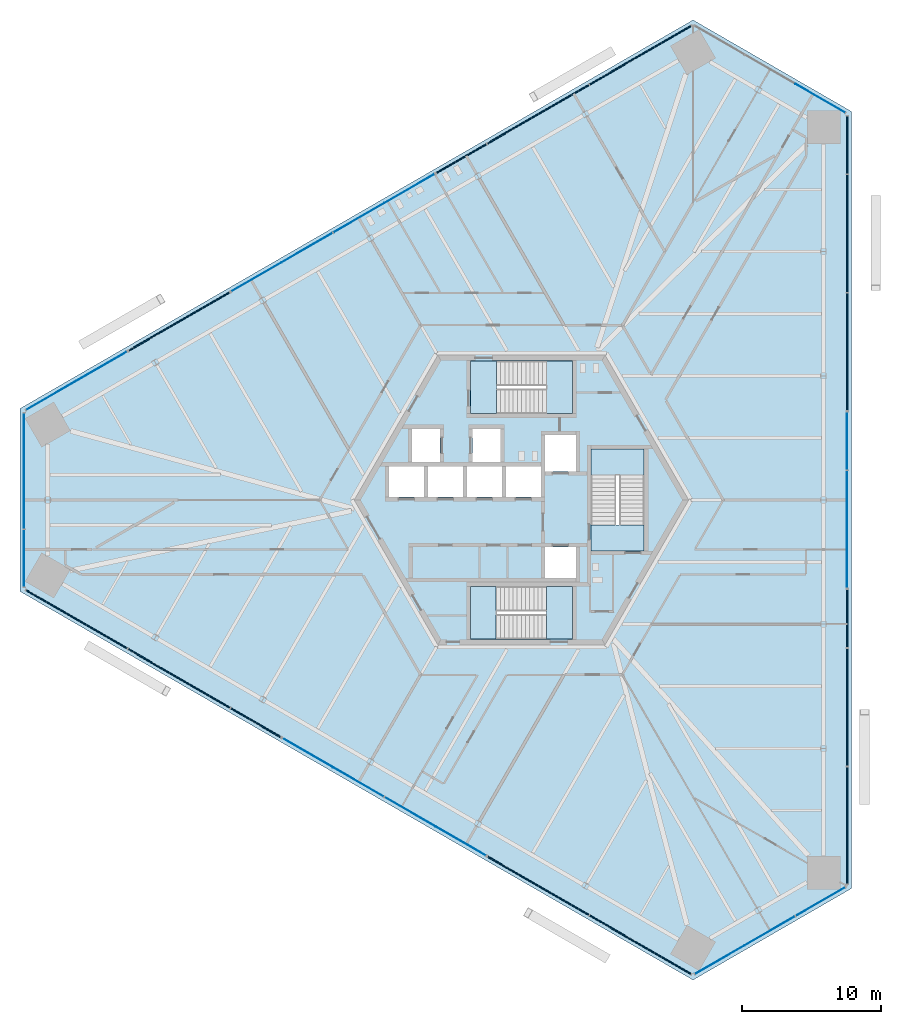
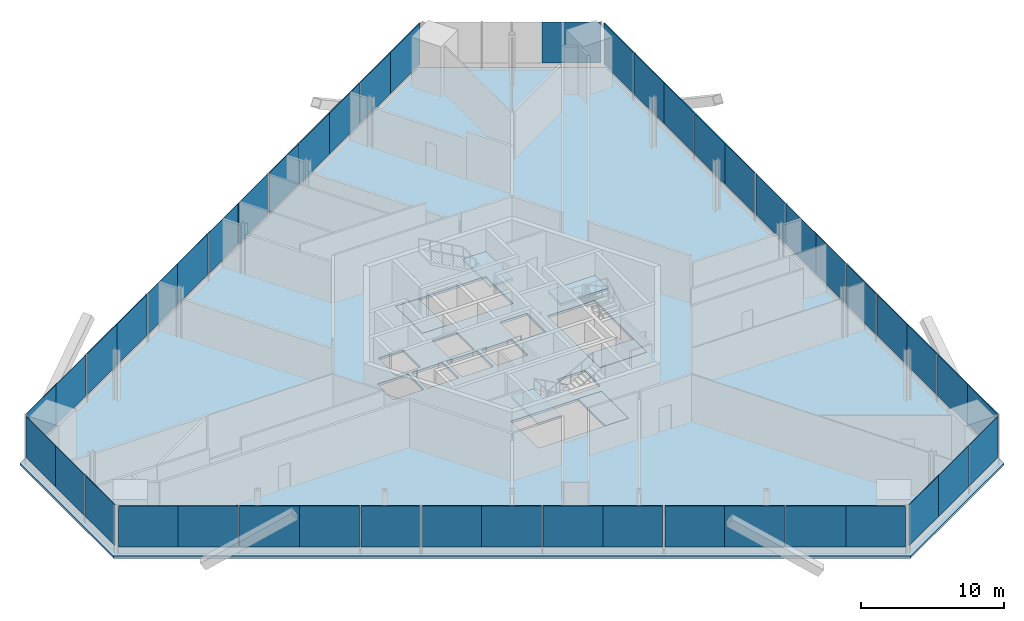
# One storey, part 9 of 16: 46 plates, 7 slabs, 16 elements without a shape of their own.
"""IFC4 building model written with IfcOpenShell, lengths in metres."""

from ifc_helpers import new_model, si_unit, direction, frame, origin, origin_2d, place, context, subcontext, project, spatial, polyline, rectangle, outline, extrude, source, transform, mapped, material, layer, layer_set, type_object, element, aggregate, save


model = new_model("IFC4")

# Units and contexts
model_context = context("Model", 3, precision=1e-05, world=origin(), true_north=direction((0.0, 1.0)))
body_context = subcontext(model_context, "Body", "Model", "MODEL_VIEW")
ifc_project = project(units=[si_unit("LENGTHUNIT", "METRE"), si_unit("AREAUNIT", "SQUARE_METRE"), si_unit("VOLUMEUNIT", "CUBIC_METRE"), si_unit("PLANEANGLEUNIT", "RADIAN"), si_unit("MASSUNIT", "GRAM", prefix="KILO")], contexts=[model_context])

# Site, building, storey
site_placement = place(None, origin())
site = spatial("IfcSite", under=ifc_project, at=site_placement, CompositionType="ELEMENT")
building_placement = place(site_placement, origin())
building = spatial("IfcBuilding", under=site, at=building_placement, Name="Triune Harvest Tower", CompositionType="ELEMENT")
storey_placement = place(building_placement, frame((0.0, 0.0, 20.300048828125)))
storey = spatial("IfcBuildingStorey", under=building, at=storey_placement, Name="L04", CompositionType="ELEMENT", Elevation=20.300048828125)

# Slab
ifc_material_1 = material(Name="Concrete 40 MPa", Category="concrete")
ifc_layer_1 = layer(ifc_material_1, 0.199951171875)
ifc_layer_set_1 = layer_set([ifc_layer_1], Name="Concrete 40 MPa")
slab_type_1 = type_object("IfcSlabType", Name="SL-3 Composite floor slab 200", PredefinedType="FLOOR", material=ifc_layer_set_1)
shared_shape_1 = source(origin(), body_context, "Body", "SweptSolid", [
    extrude(outline(polyline([(23.67138671875, -27.8798828125), (23.67138671875, 27.8798828125), (12.30908203125, 34.43994140625), (-35.98046875, 6.56005859375), (-35.98046875, -6.56005859375), (12.30908203125, -34.43994140625), (23.67138671875, -27.8798828125)]), holes=[polyline([(-7.0, 0.2099609375), (-7.0, 2.409912109375), (-9.5, 2.409912109375), (-9.5, 0.2099609375), (-7.0, 0.2099609375)]), polyline([(-4.199951171875, 0.2099609375), (-4.199951171875, 2.409912109375), (-6.699951171875, 2.409912109375), (-6.699951171875, 0.2099609375), (-4.199951171875, 0.2099609375)]), polyline([(-1.39990234375, 0.2099609375), (-1.39990234375, 2.409912109375), (-3.89990234375, 2.409912109375), (-3.89990234375, 0.2099609375), (-1.39990234375, 0.2099609375)]), polyline([(1.39990234375, 0.2099609375), (1.39990234375, 2.409912109375), (-1.10009765625, 2.409912109375), (-1.10009765625, 0.2099609375), (1.39990234375, 0.2099609375)]), polyline([(3.89990234375, 2.06005859375), (3.89990234375, 4.659912109375), (1.699951171875, 4.659912109375), (1.699951171875, 2.06005859375), (3.89990234375, 2.06005859375)]), polyline([(3.89990234375, -5.590087890625), (3.89990234375, -3.389892578125), (1.699951171875, -3.389892578125), (1.699951171875, -5.590087890625), (3.89990234375, -5.590087890625)]), polyline([(-5.85009765625, 2.7099609375), (-5.85009765625, 5.110107421875), (-7.85009765625, 5.110107421875), (-7.85009765625, 2.7099609375), (-5.85009765625, 2.7099609375)]), polyline([(-1.5, 2.7099609375), (-1.5, 5.110107421875), (-3.5, 5.110107421875), (-3.5, 2.7099609375), (-1.5, 2.7099609375)]), polyline([(3.64990234375, 6.18994140625), (3.64990234375, 9.989990234375), (-3.64990234375, 9.989990234375), (-3.64990234375, 6.18994140625), (3.64990234375, 6.18994140625)]), polyline([(3.64990234375, -9.989990234375), (3.64990234375, -6.18994140625), (-3.64990234375, -6.18994140625), (-3.64990234375, -9.989990234375), (3.64990234375, -9.989990234375)]), polyline([(8.800048828125, -3.64990234375), (8.800048828125, 3.64990234375), (5.0, 3.64990234375), (5.0, -3.64990234375), (8.800048828125, -3.64990234375)])]), origin(), (0.0, 0.0, 1.0), 0.199951171875),
])
slab_1_placement = place(storey_placement, frame((0.0, 0.0, -0.199951171875)))
element("IfcSlab", 1, at=slab_1_placement, inside=storey, type_object=slab_type_1, Name="slab/L04/1", PredefinedType="FLOOR", context=body_context, shape_type="MappedRepresentation", body=[
    mapped(shared_shape_1, transform((0.0, 0.0, 0.0), scale=1.0)),
])

# Stair, slabs
ifc_material_2 = material(Name="Concrete 40 MPa", Category="concrete")
stair_type = type_object("IfcStairType", Name="Exit stair 1800 half turn", PredefinedType="HALF_TURN_STAIR", material=ifc_material_2)
stair_1_placement = place(storey_placement, origin())
stair_1 = element("IfcStair", 2, at=stair_1_placement, inside=storey, type_object=stair_type, Name="Exit stair north", PredefinedType="HALF_TURN_STAIR")
ifc_material_3 = material(Name="Concrete 40 MPa", Category="concrete")
ifc_layer_2 = layer(ifc_material_3, 0.199951171875)
ifc_layer_set_2 = layer_set([ifc_layer_2], Name="Concrete 40 MPa")
slab_type_2 = type_object("IfcSlabType", Name="Stair landing 200", PredefinedType="LANDING", material=ifc_layer_set_2)
shared_shape_2 = source(origin(), body_context, "Body", "SweptSolid", [
    extrude(outline(polyline([(-3.64990234375, 6.18994140625), (-1.780029296875, 6.18994140625), (-1.780029296875, 9.989990234375), (-3.64990234375, 9.989990234375), (-3.64990234375, 6.18994140625)])), origin(), (0.0, 0.0, 1.0), 0.199951171875),
])
slab_2_placement = place(storey_placement, frame((0.0, 0.0, -0.199951171875)))
slab_2 = element("IfcSlab", 3, at=slab_2_placement, type_object=slab_type_2, Name="ST-1 landing 1", PredefinedType="LANDING", context=body_context, shape_type="MappedRepresentation", body=[
    mapped(shared_shape_2, transform((0.0, 0.0, 0.0), scale=1.0)),
])
shared_shape_3 = source(origin(), body_context, "Body", "SweptSolid", [
    extrude(outline(polyline([(1.81005859375, 6.18994140625), (3.64990234375, 6.18994140625), (3.64990234375, 9.989990234375), (1.81005859375, 9.989990234375), (1.81005859375, 6.18994140625)])), origin(), (0.0, 0.0, 1.0), 0.199951171875),
])
slab_3_placement = place(storey_placement, frame((0.0, 0.0, 1.949951171875)))
slab_3 = element("IfcSlab", 4, at=slab_3_placement, type_object=slab_type_2, Name="ST-1 landing 2", PredefinedType="LANDING", context=body_context, shape_type="MappedRepresentation", body=[
    mapped(shared_shape_3, transform((0.0, 0.0, 0.0), scale=1.0)),
])
aggregate(stair_1, [slab_2, slab_3])

stair_2_placement = place(storey_placement, origin())
stair_2 = element("IfcStair", 5, at=stair_2_placement, inside=storey, type_object=stair_type, Name="Exit stair south", PredefinedType="HALF_TURN_STAIR")
shared_shape_4 = source(origin(), body_context, "Body", "SweptSolid", [
    extrude(outline(polyline([(3.64990234375, -6.18994140625), (1.780029296875, -6.18994140625), (1.780029296875, -9.989990234375), (3.64990234375, -9.989990234375), (3.64990234375, -6.18994140625)])), origin(), (0.0, 0.0, 1.0), 0.199951171875),
])
slab_4_placement = place(storey_placement, frame((0.0, 0.0, -0.199951171875)))
slab_4 = element("IfcSlab", 6, at=slab_4_placement, type_object=slab_type_2, Name="ST-2 landing 1", PredefinedType="LANDING", context=body_context, shape_type="MappedRepresentation", body=[
    mapped(shared_shape_4, transform((0.0, 0.0, 0.0), scale=1.0)),
])
shared_shape_5 = source(origin(), body_context, "Body", "SweptSolid", [
    extrude(outline(polyline([(-1.81005859375, -6.18994140625), (-3.64990234375, -6.18994140625), (-3.64990234375, -9.989990234375), (-1.81005859375, -9.989990234375), (-1.81005859375, -6.18994140625)])), origin(), (0.0, 0.0, 1.0), 0.199951171875),
])
slab_5_placement = place(storey_placement, frame((0.0, 0.0, 1.949951171875)))
slab_5 = element("IfcSlab", 7, at=slab_5_placement, type_object=slab_type_2, Name="ST-2 landing 2", PredefinedType="LANDING", context=body_context, shape_type="MappedRepresentation", body=[
    mapped(shared_shape_5, transform((0.0, 0.0, 0.0), scale=1.0)),
])
aggregate(stair_2, [slab_4, slab_5])

stair_3_placement = place(storey_placement, origin())
stair_3 = element("IfcStair", 8, at=stair_3_placement, inside=storey, type_object=stair_type, Name="Exit stair east", PredefinedType="HALF_TURN_STAIR")
shared_shape_6 = source(origin(), body_context, "Body", "SweptSolid", [
    extrude(outline(polyline([(8.800048828125, -3.64990234375), (8.800048828125, -1.780029296875), (5.0, -1.780029296875), (5.0, -3.64990234375), (8.800048828125, -3.64990234375)])), origin(), (0.0, 0.0, 1.0), 0.199951171875),
])
slab_6_placement = place(storey_placement, frame((0.0, 0.0, -0.199951171875)))
slab_6 = element("IfcSlab", 9, at=slab_6_placement, type_object=slab_type_2, Name="ST-3 landing 1", PredefinedType="LANDING", context=body_context, shape_type="MappedRepresentation", body=[
    mapped(shared_shape_6, transform((0.0, 0.0, 0.0), scale=1.0)),
])
shared_shape_7 = source(origin(), body_context, "Body", "SweptSolid", [
    extrude(outline(polyline([(8.800048828125, 1.81005859375), (8.800048828125, 3.64990234375), (5.0, 3.64990234375), (5.0, 1.81005859375), (8.800048828125, 1.81005859375)])), origin(), (0.0, 0.0, 1.0), 0.199951171875),
])
slab_7_placement = place(storey_placement, frame((0.0, 0.0, 1.949951171875)))
slab_7 = element("IfcSlab", 10, at=slab_7_placement, type_object=slab_type_2, Name="ST-3 landing 2", PredefinedType="LANDING", context=body_context, shape_type="MappedRepresentation", body=[
    mapped(shared_shape_7, transform((0.0, 0.0, 0.0), scale=1.0)),
])
aggregate(stair_3, [slab_6, slab_7])

# Curtain wall, plate
ifc_material_4 = material(Name="Aluminium bronze anodised", Category="aluminium")
curtain_wall_type_1 = type_object("IfcCurtainWallType", Name="CW-3 Farm floor curtain wall", PredefinedType="NOTDEFINED", material=ifc_material_4)
curtain_wall_1_placement = place(storey_placement, origin())
curtain_wall_1 = element("IfcCurtainWall", 11, at=curtain_wall_1_placement, inside=storey, type_object=curtain_wall_type_1, Name="CW-3 B1-F2 L04 run 1")
ifc_material_5 = material(Name="Glass", Category="glass")
ifc_layer_3 = layer(ifc_material_5, 0.035888671875)
ifc_layer_set_3 = layer_set([ifc_layer_3], Name="Glass")
plate_type_1 = type_object("IfcPlateType", Name="GL-3 panel 36", PredefinedType="CURTAIN_PANEL", material=ifc_layer_set_3)
shared_shape_8 = source(origin(), body_context, "Body", "SweptSolid", [
    extrude(rectangle(XDim=4.117919921875, YDim=0.035888671875, at=origin_2d()), origin(), (0.0, 0.0, 1.0), 3.5),
])
plate_1_placement = place(storey_placement, frame((21.441162109375, 28.8212890625, 0.599853515625), z_axis=(0.0, 0.0, 1.0), x_axis=(-0.866026145592, 0.499998715149, 0.0)))
plate_1 = element("IfcPlate", 12, at=plate_1_placement, type_object=plate_type_1, Name="CW-3 panel B1-F2 1.1", PredefinedType="CURTAIN_PANEL", context=body_context, shape_type="MappedRepresentation", body=[
    mapped(shared_shape_8, transform((0.0, 0.0, 0.0), scale=1.0)),
])
aggregate(curtain_wall_1, [plate_1])

curtain_wall_2_placement = place(storey_placement, origin())
curtain_wall_2 = element("IfcCurtainWall", 13, at=curtain_wall_2_placement, inside=storey, type_object=curtain_wall_type_1, Name="CW-3 B1-F4 L04 run 1")
plate_2_placement = place(storey_placement, frame((-35.680419921875, 4.157958984375, 0.599853515625), z_axis=(0.0, 0.0, 1.0), x_axis=(0.0, -1.0, 0.0)))
plate_2 = element("IfcPlate", 14, at=plate_2_placement, type_object=plate_type_1, Name="CW-3 panel B1-F4 1.1", PredefinedType="CURTAIN_PANEL", context=body_context, shape_type="MappedRepresentation", body=[
    mapped(shared_shape_8, transform((0.0, 0.0, 0.0), scale=1.0)),
])

curtain_wall_3_placement = place(storey_placement, origin())
curtain_wall_3 = element("IfcCurtainWall", 15, at=curtain_wall_3_placement, inside=storey, type_object=curtain_wall_type_1, Name="CW-3 B1-F6 L04 run 1")
plate_3_placement = place(storey_placement, frame((14.239501953125, -32.979248046875, 0.599853515625), z_axis=(0.0, 0.0, 1.0), x_axis=(0.866026145592, 0.499998715149, 0.0)))
plate_3 = element("IfcPlate", 16, at=plate_3_placement, type_object=plate_type_1, Name="CW-3 panel B1-F6 1.1", PredefinedType="CURTAIN_PANEL", context=body_context, shape_type="MappedRepresentation", body=[
    mapped(shared_shape_8, transform((0.0, 0.0, 0.0), scale=1.0)),
])

# Plate
shared_shape_9 = source(origin(), body_context, "Body", "SweptSolid", [
    extrude(rectangle(XDim=4.157958984375, YDim=0.035888671875, at=origin_2d()), origin(), (0.0, 0.0, 1.0), 3.5),
])
plate_4_placement = place(storey_placement, frame((-35.680419921875, 0.02001953125, 0.599853515625), z_axis=(0.0, 0.0, 1.0), x_axis=(0.0, -1.0, 0.0)))
plate_4 = element("IfcPlate", 17, at=plate_4_placement, type_object=plate_type_1, Name="CW-3 panel B1-F4 1.2", PredefinedType="CURTAIN_PANEL", context=body_context, shape_type="MappedRepresentation", body=[
    mapped(shared_shape_9, transform((0.0, 0.0, 0.0), scale=1.0)),
])

plate_5_placement = place(storey_placement, frame((17.822998046875, -30.91015625, 0.599853515625), z_axis=(0.0, 0.0, 1.0), x_axis=(0.866026145592, 0.499998715149, 0.0)))
plate_5 = element("IfcPlate", 18, at=plate_5_placement, type_object=plate_type_1, Name="CW-3 panel B1-F6 1.2", PredefinedType="CURTAIN_PANEL", context=body_context, shape_type="MappedRepresentation", body=[
    mapped(shared_shape_9, transform((0.0, 0.0, 0.0), scale=1.0)),
])

shared_shape_10 = source(origin(), body_context, "Body", "SweptSolid", [
    extrude(rectangle(XDim=4.077880859375, YDim=0.035888671875, at=origin_2d()), origin(), (0.0, 0.0, 1.0), 3.5),
])
plate_6_placement = place(storey_placement, frame((-35.680419921875, -4.177978515625, 0.599853515625), z_axis=(0.0, 0.0, 1.0), x_axis=(0.0, -1.0, 0.0)))
plate_6 = element("IfcPlate", 19, at=plate_6_placement, type_object=plate_type_1, Name="CW-3 panel B1-F4 1.3", PredefinedType="CURTAIN_PANEL", context=body_context, shape_type="MappedRepresentation", body=[
    mapped(shared_shape_10, transform((0.0, 0.0, 0.0), scale=1.0)),
])

aggregate(curtain_wall_2, [plate_2, plate_4, plate_6])

plate_7_placement = place(storey_placement, frame((21.45849609375, -28.811279296875, 0.599853515625), z_axis=(0.0, 0.0, 1.0), x_axis=(0.866026145592, 0.499998715149, 0.0)))
plate_7 = element("IfcPlate", 20, at=plate_7_placement, type_object=plate_type_1, Name="CW-3 panel B1-F6 1.3", PredefinedType="CURTAIN_PANEL", context=body_context, shape_type="MappedRepresentation", body=[
    mapped(shared_shape_10, transform((0.0, 0.0, 0.0), scale=1.0)),
])

aggregate(curtain_wall_3, [plate_3, plate_5, plate_7])

# Curtain wall, plate
ifc_material_6 = material(Name="Aluminium bronze anodised", Category="aluminium")
curtain_wall_type_2 = type_object("IfcCurtainWallType", Name="CW-8 Farm floor curtain wall with insulated spandrel infill", PredefinedType="NOTDEFINED", material=ifc_material_6)
curtain_wall_4_placement = place(storey_placement, origin())
curtain_wall_4 = element("IfcCurtainWall", 21, at=curtain_wall_4_placement, inside=storey, type_object=curtain_wall_type_2, Name="CW-8 B1-F1 L04 run 1")
ifc_material_7 = material(Name="Insulated spandrel panel, bronze aluminium pan", Category="aluminium")
ifc_layer_4 = layer(ifc_material_7, 0.080078125)
ifc_layer_set_4 = layer_set([ifc_layer_4], Name="Insulated spandrel panel, bronze aluminium pan")
plate_type_2 = type_object("IfcPlateType", Name="SP-1 insulated spandrel panel 80", PredefinedType="CURTAIN_PANEL", material=ifc_layer_set_4)
shared_shape_11 = source(origin(), body_context, "Body", "SweptSolid", [
    extrude(rectangle(XDim=4.168701171875, YDim=0.080078125, at=origin_2d()), origin(), (0.0, 0.0, 1.0), 3.5),
])
plate_8_placement = place(storey_placement, frame((23.371337890625, -25.452392578125, 0.599853515625), z_axis=(0.0, 0.0, 1.0), x_axis=(0.0, 1.0, 0.0)))
plate_8 = element("IfcPlate", 22, at=plate_8_placement, type_object=plate_type_2, Name="CW-8 panel B1-F1 1.1", PredefinedType="CURTAIN_PANEL", context=body_context, shape_type="MappedRepresentation", body=[
    mapped(shared_shape_11, transform((0.0, 0.0, 0.0), scale=1.0)),
])

curtain_wall_5_placement = place(storey_placement, origin())
curtain_wall_5 = element("IfcCurtainWall", 23, at=curtain_wall_5_placement, inside=storey, type_object=curtain_wall_type_2, Name="CW-8 B1-F1 L04 run 2001")
plate_9_placement = place(storey_placement, frame((23.371337890625, 8.537353515625, 0.599853515625), z_axis=(0.0, 0.0, 1.0), x_axis=(0.0, 1.0, 0.0)))
plate_9 = element("IfcPlate", 24, at=plate_9_placement, type_object=plate_type_2, Name="CW-8 panel B1-F1 2001.1", PredefinedType="CURTAIN_PANEL", context=body_context, shape_type="MappedRepresentation", body=[
    mapped(shared_shape_11, transform((0.0, 0.0, 0.0), scale=1.0)),
])

curtain_wall_6_placement = place(storey_placement, origin())
curtain_wall_6 = element("IfcCurtainWall", 25, at=curtain_wall_6_placement, inside=storey, type_object=curtain_wall_type_2, Name="CW-8 B1-F3 L04 run 1")
plate_10_placement = place(storey_placement, frame((10.356689453125, 32.96630859375, 0.599853515625), z_axis=(0.0, 0.0, 1.0), x_axis=(-0.866026114839, -0.499998768415, 0.0)))
plate_10 = element("IfcPlate", 26, at=plate_10_placement, type_object=plate_type_2, Name="CW-8 panel B1-F3 1.1", PredefinedType="CURTAIN_PANEL", context=body_context, shape_type="MappedRepresentation", body=[
    mapped(shared_shape_11, transform((0.0, 0.0, 0.0), scale=1.0)),
])

# Curtain wall, plates
curtain_wall_7_placement = place(storey_placement, origin())
curtain_wall_7 = element("IfcCurtainWall", 27, at=curtain_wall_7_placement, inside=storey, type_object=curtain_wall_type_2, Name="CW-8 B1-F3 L04 run 2001")
plate_11_placement = place(storey_placement, frame((-22.7587890625, 13.84716796875, 0.599853515625), z_axis=(0.0, 0.0, 1.0), x_axis=(-0.866021359287, -0.500007005209, 0.0)))
plate_11 = element("IfcPlate", 28, at=plate_11_placement, type_object=plate_type_2, Name="CW-8 panel B1-F3 2001.1", PredefinedType="CURTAIN_PANEL", context=body_context, shape_type="MappedRepresentation", body=[
    mapped(shared_shape_11, transform((0.0, 0.0, 0.0), scale=1.0)),
])
plate_12_placement = place(storey_placement, frame((-26.369140625, 11.7626953125, 0.599853515625), z_axis=(0.0, 0.0, 1.0), x_axis=(-0.866021359287, -0.500007005209, 0.0)))
plate_12 = element("IfcPlate", 29, at=plate_12_placement, type_object=plate_type_2, Name="CW-8 panel B1-F3 2001.2", PredefinedType="CURTAIN_PANEL", context=body_context, shape_type="MappedRepresentation", body=[
    mapped(shared_shape_11, transform((0.0, 0.0, 0.0), scale=1.0)),
])
aggregate(curtain_wall_7, [plate_11, plate_12])

# Curtain wall, plate
curtain_wall_8_placement = place(storey_placement, origin())
curtain_wall_8 = element("IfcCurtainWall", 30, at=curtain_wall_8_placement, inside=storey, type_object=curtain_wall_type_2, Name="CW-8 B1-F5 L04 run 1")
plate_13_placement = place(storey_placement, frame((-33.728271484375, -7.513916015625, 0.599853515625), z_axis=(0.0, 0.0, 1.0), x_axis=(0.866026114839, -0.499998768415, 0.0)))
plate_13 = element("IfcPlate", 31, at=plate_13_placement, type_object=plate_type_2, Name="CW-8 panel B1-F5 1.1", PredefinedType="CURTAIN_PANEL", context=body_context, shape_type="MappedRepresentation", body=[
    mapped(shared_shape_11, transform((0.0, 0.0, 0.0), scale=1.0)),
])

# Curtain wall, plates
curtain_wall_9_placement = place(storey_placement, origin())
curtain_wall_9 = element("IfcCurtainWall", 32, at=curtain_wall_9_placement, inside=storey, type_object=curtain_wall_type_2, Name="CW-8 B1-F5 L04 run 2001")
plate_14_placement = place(storey_placement, frame((-0.612548828125, -26.63330078125, 0.599853515625), z_axis=(0.0, 0.0, 1.0), x_axis=(0.86602475583, -0.500001122288, 0.0)))
plate_14 = element("IfcPlate", 33, at=plate_14_placement, type_object=plate_type_2, Name="CW-8 panel B1-F5 2001.1", PredefinedType="CURTAIN_PANEL", context=body_context, shape_type="MappedRepresentation", body=[
    mapped(shared_shape_11, transform((0.0, 0.0, 0.0), scale=1.0)),
])
plate_15_placement = place(storey_placement, frame((10.356689453125, -32.96630859375, 0.599853515625), z_axis=(0.0, 0.0, 1.0), x_axis=(0.86602475583, -0.500001122288, 0.0)))
plate_15 = element("IfcPlate", 34, at=plate_15_placement, type_object=plate_type_2, Name="CW-8 panel B1-F5 2001.4", PredefinedType="CURTAIN_PANEL", context=body_context, shape_type="MappedRepresentation", body=[
    mapped(shared_shape_11, transform((0.0, 0.0, 0.0), scale=1.0)),
])

# Plate
shared_shape_12 = source(origin(), body_context, "Body", "SweptSolid", [
    extrude(rectangle(XDim=4.208740234375, YDim=0.080078125, at=origin_2d()), origin(), (0.0, 0.0, 1.0), 3.5),
])
plate_16_placement = place(storey_placement, frame((23.371337890625, -21.263671875, 0.599853515625), z_axis=(0.0, 0.0, 1.0), x_axis=(0.0, 1.0, 0.0)))
plate_16 = element("IfcPlate", 35, at=plate_16_placement, type_object=plate_type_2, Name="CW-8 panel B1-F1 1.2", PredefinedType="CURTAIN_PANEL", context=body_context, shape_type="MappedRepresentation", body=[
    mapped(shared_shape_12, transform((0.0, 0.0, 0.0), scale=1.0)),
])

plate_17_placement = place(storey_placement, frame((23.371337890625, -16.974853515625, 0.599853515625), z_axis=(0.0, 0.0, 1.0), x_axis=(0.0, 1.0, 0.0)))
plate_17 = element("IfcPlate", 36, at=plate_17_placement, type_object=plate_type_2, Name="CW-8 panel B1-F1 1.3", PredefinedType="CURTAIN_PANEL", context=body_context, shape_type="MappedRepresentation", body=[
    mapped(shared_shape_12, transform((0.0, 0.0, 0.0), scale=1.0)),
])

plate_18_placement = place(storey_placement, frame((23.371337890625, -12.76611328125, 0.599853515625), z_axis=(0.0, 0.0, 1.0), x_axis=(0.0, 1.0, 0.0)))
plate_18 = element("IfcPlate", 37, at=plate_18_placement, type_object=plate_type_2, Name="CW-8 panel B1-F1 1.4", PredefinedType="CURTAIN_PANEL", context=body_context, shape_type="MappedRepresentation", body=[
    mapped(shared_shape_12, transform((0.0, 0.0, 0.0), scale=1.0)),
])

plate_19_placement = place(storey_placement, frame((23.371337890625, 12.726318359375, 0.599853515625), z_axis=(0.0, 0.0, 1.0), x_axis=(0.0, 1.0, 0.0)))
plate_19 = element("IfcPlate", 38, at=plate_19_placement, type_object=plate_type_2, Name="CW-8 panel B1-F1 2001.2", PredefinedType="CURTAIN_PANEL", context=body_context, shape_type="MappedRepresentation", body=[
    mapped(shared_shape_12, transform((0.0, 0.0, 0.0), scale=1.0)),
])

plate_20_placement = place(storey_placement, frame((23.371337890625, 17.014892578125, 0.599853515625), z_axis=(0.0, 0.0, 1.0), x_axis=(0.0, 1.0, 0.0)))
plate_20 = element("IfcPlate", 39, at=plate_20_placement, type_object=plate_type_2, Name="CW-8 panel B1-F1 2001.3", PredefinedType="CURTAIN_PANEL", context=body_context, shape_type="MappedRepresentation", body=[
    mapped(shared_shape_12, transform((0.0, 0.0, 0.0), scale=1.0)),
])

plate_21_placement = place(storey_placement, frame((23.371337890625, 21.2236328125, 0.599853515625), z_axis=(0.0, 0.0, 1.0), x_axis=(0.0, 1.0, 0.0)))
plate_21 = element("IfcPlate", 40, at=plate_21_placement, type_object=plate_type_2, Name="CW-8 panel B1-F1 2001.4", PredefinedType="CURTAIN_PANEL", context=body_context, shape_type="MappedRepresentation", body=[
    mapped(shared_shape_12, transform((0.0, 0.0, 0.0), scale=1.0)),
])

plate_22_placement = place(storey_placement, frame((6.729248046875, 30.8720703125, 0.599853515625), z_axis=(0.0, 0.0, 1.0), x_axis=(-0.866026114839, -0.499998768415, 0.0)))
plate_22 = element("IfcPlate", 41, at=plate_22_placement, type_object=plate_type_2, Name="CW-8 panel B1-F3 1.2", PredefinedType="CURTAIN_PANEL", context=body_context, shape_type="MappedRepresentation", body=[
    mapped(shared_shape_12, transform((0.0, 0.0, 0.0), scale=1.0)),
])

plate_23_placement = place(storey_placement, frame((3.01513671875, 28.727783203125, 0.599853515625), z_axis=(0.0, 0.0, 1.0), x_axis=(-0.866026114839, -0.499998768415, 0.0)))
plate_23 = element("IfcPlate", 42, at=plate_23_placement, type_object=plate_type_2, Name="CW-8 panel B1-F3 1.3", PredefinedType="CURTAIN_PANEL", context=body_context, shape_type="MappedRepresentation", body=[
    mapped(shared_shape_12, transform((0.0, 0.0, 0.0), scale=1.0)),
])

plate_24_placement = place(storey_placement, frame((-0.6298828125, 26.623291015625, 0.599853515625), z_axis=(0.0, 0.0, 1.0), x_axis=(-0.866026114839, -0.499998768415, 0.0)))
plate_24 = element("IfcPlate", 43, at=plate_24_placement, type_object=plate_type_2, Name="CW-8 panel B1-F3 1.4", PredefinedType="CURTAIN_PANEL", context=body_context, shape_type="MappedRepresentation", body=[
    mapped(shared_shape_12, transform((0.0, 0.0, 0.0), scale=1.0)),
])

plate_25_placement = place(storey_placement, frame((-30.1005859375, -9.6083984375, 0.599853515625), z_axis=(0.0, 0.0, 1.0), x_axis=(0.866026114839, -0.499998768415, 0.0)))
plate_25 = element("IfcPlate", 44, at=plate_25_placement, type_object=plate_type_2, Name="CW-8 panel B1-F5 1.2", PredefinedType="CURTAIN_PANEL", context=body_context, shape_type="MappedRepresentation", body=[
    mapped(shared_shape_12, transform((0.0, 0.0, 0.0), scale=1.0)),
])

plate_26_placement = place(storey_placement, frame((-26.386474609375, -11.752685546875, 0.599853515625), z_axis=(0.0, 0.0, 1.0), x_axis=(0.866026114839, -0.499998768415, 0.0)))
plate_26 = element("IfcPlate", 45, at=plate_26_placement, type_object=plate_type_2, Name="CW-8 panel B1-F5 1.3", PredefinedType="CURTAIN_PANEL", context=body_context, shape_type="MappedRepresentation", body=[
    mapped(shared_shape_12, transform((0.0, 0.0, 0.0), scale=1.0)),
])

plate_27_placement = place(storey_placement, frame((-22.74169921875, -13.857177734375, 0.599853515625), z_axis=(0.0, 0.0, 1.0), x_axis=(0.866026114839, -0.499998768415, 0.0)))
plate_27 = element("IfcPlate", 46, at=plate_27_placement, type_object=plate_type_2, Name="CW-8 panel B1-F5 1.4", PredefinedType="CURTAIN_PANEL", context=body_context, shape_type="MappedRepresentation", body=[
    mapped(shared_shape_12, transform((0.0, 0.0, 0.0), scale=1.0)),
])

plate_28_placement = place(storey_placement, frame((3.01513671875, -28.727783203125, 0.599853515625), z_axis=(0.0, 0.0, 1.0), x_axis=(0.86602475583, -0.500001122288, 0.0)))
plate_28 = element("IfcPlate", 47, at=plate_28_placement, type_object=plate_type_2, Name="CW-8 panel B1-F5 2001.2", PredefinedType="CURTAIN_PANEL", context=body_context, shape_type="MappedRepresentation", body=[
    mapped(shared_shape_12, transform((0.0, 0.0, 0.0), scale=1.0)),
])

plate_29_placement = place(storey_placement, frame((6.729248046875, -30.8720703125, 0.599853515625), z_axis=(0.0, 0.0, 1.0), x_axis=(0.86602475583, -0.500001122288, 0.0)))
plate_29 = element("IfcPlate", 48, at=plate_29_placement, type_object=plate_type_2, Name="CW-8 panel B1-F5 2001.3", PredefinedType="CURTAIN_PANEL", context=body_context, shape_type="MappedRepresentation", body=[
    mapped(shared_shape_12, transform((0.0, 0.0, 0.0), scale=1.0)),
])

aggregate(curtain_wall_9, [plate_14, plate_28, plate_29, plate_15])

shared_shape_13 = source(origin(), body_context, "Body", "SweptSolid", [
    extrude(rectangle(XDim=4.128662109375, YDim=0.080078125, at=origin_2d()), origin(), (0.0, 0.0, 1.0), 3.5),
])
plate_30_placement = place(storey_placement, frame((23.371337890625, -8.517578125, 0.599853515625), z_axis=(0.0, 0.0, 1.0), x_axis=(0.0, 1.0, 0.0)))
plate_30 = element("IfcPlate", 49, at=plate_30_placement, type_object=plate_type_2, Name="CW-8 panel B1-F1 1.5", PredefinedType="CURTAIN_PANEL", context=body_context, shape_type="MappedRepresentation", body=[
    mapped(shared_shape_13, transform((0.0, 0.0, 0.0), scale=1.0)),
])

aggregate(curtain_wall_4, [plate_8, plate_16, plate_17, plate_18, plate_30])

plate_31_placement = place(storey_placement, frame((23.371337890625, 25.472412109375, 0.599853515625), z_axis=(0.0, 0.0, 1.0), x_axis=(0.0, 1.0, 0.0)))
plate_31 = element("IfcPlate", 50, at=plate_31_placement, type_object=plate_type_2, Name="CW-8 panel B1-F1 2001.5", PredefinedType="CURTAIN_PANEL", context=body_context, shape_type="MappedRepresentation", body=[
    mapped(shared_shape_13, transform((0.0, 0.0, 0.0), scale=1.0)),
])

aggregate(curtain_wall_5, [plate_9, plate_19, plate_20, plate_21, plate_31])

plate_32_placement = place(storey_placement, frame((-4.309326171875, 24.4990234375, 0.599853515625), z_axis=(0.0, 0.0, 1.0), x_axis=(-0.866026114839, -0.499998768415, 0.0)))
plate_32 = element("IfcPlate", 51, at=plate_32_placement, type_object=plate_type_2, Name="CW-8 panel B1-F3 1.5", PredefinedType="CURTAIN_PANEL", context=body_context, shape_type="MappedRepresentation", body=[
    mapped(shared_shape_13, transform((0.0, 0.0, 0.0), scale=1.0)),
])

aggregate(curtain_wall_6, [plate_10, plate_22, plate_23, plate_24, plate_32])

plate_33_placement = place(storey_placement, frame((-19.06201171875, -15.9814453125, 0.599853515625), z_axis=(0.0, 0.0, 1.0), x_axis=(0.866026114839, -0.499998768415, 0.0)))
plate_33 = element("IfcPlate", 52, at=plate_33_placement, type_object=plate_type_2, Name="CW-8 panel B1-F5 1.5", PredefinedType="CURTAIN_PANEL", context=body_context, shape_type="MappedRepresentation", body=[
    mapped(shared_shape_13, transform((0.0, 0.0, 0.0), scale=1.0)),
])

aggregate(curtain_wall_8, [plate_13, plate_25, plate_26, plate_27, plate_33])

# Curtain wall, plate
curtain_wall_10_placement = place(storey_placement, origin())
curtain_wall_10 = element("IfcCurtainWall", 53, at=curtain_wall_10_placement, inside=storey, type_object=curtain_wall_type_1, Name="CW-3 B1-F1 L04 run 1001")
shared_shape_14 = source(origin(), body_context, "Body", "SweptSolid", [
    extrude(rectangle(XDim=4.168701171875, YDim=0.035888671875, at=origin_2d()), origin(), (0.0, 0.0, 1.0), 3.5),
])
plate_34_placement = place(storey_placement, frame((23.371337890625, -4.208740234375, 0.599853515625), z_axis=(0.0, 0.0, 1.0), x_axis=(0.0, 1.0, 0.0)))
plate_34 = element("IfcPlate", 54, at=plate_34_placement, type_object=plate_type_1, Name="CW-3 panel B1-F1 1001.1", PredefinedType="CURTAIN_PANEL", context=body_context, shape_type="MappedRepresentation", body=[
    mapped(shared_shape_14, transform((0.0, 0.0, 0.0), scale=1.0)),
])

# Curtain wall, plates
curtain_wall_11_placement = place(storey_placement, origin())
curtain_wall_11 = element("IfcCurtainWall", 55, at=curtain_wall_11_placement, inside=storey, type_object=curtain_wall_type_1, Name="CW-3 B1-F3 L04 run 1001")
plate_35_placement = place(storey_placement, frame((-8.040771484375, 22.3447265625, 0.599853515625), z_axis=(0.0, 0.0, 1.0), x_axis=(-0.866025378224, -0.500000044272, 0.0)))
plate_35 = element("IfcPlate", 56, at=plate_35_placement, type_object=plate_type_1, Name="CW-3 panel B1-F3 1001.1", PredefinedType="CURTAIN_PANEL", context=body_context, shape_type="MappedRepresentation", body=[
    mapped(shared_shape_14, transform((0.0, 0.0, 0.0), scale=1.0)),
])
plate_36_placement = place(storey_placement, frame((-19.010009765625, 16.011474609375, 0.599853515625), z_axis=(0.0, 0.0, 1.0), x_axis=(-0.866025378224, -0.500000044272, 0.0)))
plate_36 = element("IfcPlate", 57, at=plate_36_placement, type_object=plate_type_1, Name="CW-3 panel B1-F3 1001.4", PredefinedType="CURTAIN_PANEL", context=body_context, shape_type="MappedRepresentation", body=[
    mapped(shared_shape_14, transform((0.0, 0.0, 0.0), scale=1.0)),
])

curtain_wall_12_placement = place(storey_placement, origin())
curtain_wall_12 = element("IfcCurtainWall", 58, at=curtain_wall_12_placement, inside=storey, type_object=curtain_wall_type_1, Name="CW-3 B1-F3 L04 run 3001")
plate_37_placement = place(storey_placement, frame((-30.117919921875, 9.598388671875, 0.599853515625), z_axis=(0.0, 0.0, 1.0), x_axis=(-0.866028152342, -0.499995239328, 0.0)))
plate_37 = element("IfcPlate", 59, at=plate_37_placement, type_object=plate_type_1, Name="CW-3 panel B1-F3 3001.1", PredefinedType="CURTAIN_PANEL", context=body_context, shape_type="MappedRepresentation", body=[
    mapped(shared_shape_14, transform((0.0, 0.0, 0.0), scale=1.0)),
])
plate_38_placement = place(storey_placement, frame((-33.728271484375, 7.513916015625, 0.599853515625), z_axis=(0.0, 0.0, 1.0), x_axis=(-0.866028152342, -0.499995239328, 0.0)))
plate_38 = element("IfcPlate", 60, at=plate_38_placement, type_object=plate_type_1, Name="CW-3 panel B1-F3 3001.2", PredefinedType="CURTAIN_PANEL", context=body_context, shape_type="MappedRepresentation", body=[
    mapped(shared_shape_14, transform((0.0, 0.0, 0.0), scale=1.0)),
])
aggregate(curtain_wall_12, [plate_37, plate_38])

curtain_wall_13_placement = place(storey_placement, origin())
curtain_wall_13 = element("IfcCurtainWall", 61, at=curtain_wall_13_placement, inside=storey, type_object=curtain_wall_type_1, Name="CW-3 B1-F5 L04 run 1001")
plate_39_placement = place(storey_placement, frame((-15.33056640625, -18.1357421875, 0.599853515625), z_axis=(0.0, 0.0, 1.0), x_axis=(0.866025378224, -0.500000044272, 0.0)))
plate_39 = element("IfcPlate", 62, at=plate_39_placement, type_object=plate_type_1, Name="CW-3 panel B1-F5 1001.1", PredefinedType="CURTAIN_PANEL", context=body_context, shape_type="MappedRepresentation", body=[
    mapped(shared_shape_14, transform((0.0, 0.0, 0.0), scale=1.0)),
])
plate_40_placement = place(storey_placement, frame((-4.361328125, -24.468994140625, 0.599853515625), z_axis=(0.0, 0.0, 1.0), x_axis=(0.866025378224, -0.500000044272, 0.0)))
plate_40 = element("IfcPlate", 63, at=plate_40_placement, type_object=plate_type_1, Name="CW-3 panel B1-F5 1001.4", PredefinedType="CURTAIN_PANEL", context=body_context, shape_type="MappedRepresentation", body=[
    mapped(shared_shape_14, transform((0.0, 0.0, 0.0), scale=1.0)),
])

# Plate
shared_shape_15 = source(origin(), body_context, "Body", "SweptSolid", [
    extrude(rectangle(XDim=4.208740234375, YDim=0.035888671875, at=origin_2d()), origin(), (0.0, 0.0, 1.0), 3.5),
])
plate_41_placement = place(storey_placement, frame((23.371337890625, -0.02001953125, 0.599853515625), z_axis=(0.0, 0.0, 1.0), x_axis=(0.0, 1.0, 0.0)))
plate_41 = element("IfcPlate", 64, at=plate_41_placement, type_object=plate_type_1, Name="CW-3 panel B1-F1 1001.2", PredefinedType="CURTAIN_PANEL", context=body_context, shape_type="MappedRepresentation", body=[
    mapped(shared_shape_15, transform((0.0, 0.0, 0.0), scale=1.0)),
])

plate_42_placement = place(storey_placement, frame((-11.66845703125, 20.250244140625, 0.599853515625), z_axis=(0.0, 0.0, 1.0), x_axis=(-0.866025378224, -0.500000044272, 0.0)))
plate_42 = element("IfcPlate", 65, at=plate_42_placement, type_object=plate_type_1, Name="CW-3 panel B1-F3 1001.2", PredefinedType="CURTAIN_PANEL", context=body_context, shape_type="MappedRepresentation", body=[
    mapped(shared_shape_15, transform((0.0, 0.0, 0.0), scale=1.0)),
])

plate_43_placement = place(storey_placement, frame((-15.382568359375, 18.10595703125, 0.599853515625), z_axis=(0.0, 0.0, 1.0), x_axis=(-0.866025378224, -0.500000044272, 0.0)))
plate_43 = element("IfcPlate", 66, at=plate_43_placement, type_object=plate_type_1, Name="CW-3 panel B1-F3 1001.3", PredefinedType="CURTAIN_PANEL", context=body_context, shape_type="MappedRepresentation", body=[
    mapped(shared_shape_15, transform((0.0, 0.0, 0.0), scale=1.0)),
])

aggregate(curtain_wall_11, [plate_35, plate_42, plate_43, plate_36])

plate_44_placement = place(storey_placement, frame((-11.703125, -20.230224609375, 0.599853515625), z_axis=(0.0, 0.0, 1.0), x_axis=(0.866025378224, -0.500000044272, 0.0)))
plate_44 = element("IfcPlate", 67, at=plate_44_placement, type_object=plate_type_1, Name="CW-3 panel B1-F5 1001.2", PredefinedType="CURTAIN_PANEL", context=body_context, shape_type="MappedRepresentation", body=[
    mapped(shared_shape_15, transform((0.0, 0.0, 0.0), scale=1.0)),
])

plate_45_placement = place(storey_placement, frame((-7.98876953125, -22.37451171875, 0.599853515625), z_axis=(0.0, 0.0, 1.0), x_axis=(0.866025378224, -0.500000044272, 0.0)))
plate_45 = element("IfcPlate", 68, at=plate_45_placement, type_object=plate_type_1, Name="CW-3 panel B1-F5 1001.3", PredefinedType="CURTAIN_PANEL", context=body_context, shape_type="MappedRepresentation", body=[
    mapped(shared_shape_15, transform((0.0, 0.0, 0.0), scale=1.0)),
])

aggregate(curtain_wall_13, [plate_39, plate_44, plate_45, plate_40])

shared_shape_16 = source(origin(), body_context, "Body", "SweptSolid", [
    extrude(rectangle(XDim=4.128662109375, YDim=0.035888671875, at=origin_2d()), origin(), (0.0, 0.0, 1.0), 3.5),
])
plate_46_placement = place(storey_placement, frame((23.371337890625, 4.228759765625, 0.599853515625), z_axis=(0.0, 0.0, 1.0), x_axis=(0.0, 1.0, 0.0)))
plate_46 = element("IfcPlate", 69, at=plate_46_placement, type_object=plate_type_1, Name="CW-3 panel B1-F1 1001.3", PredefinedType="CURTAIN_PANEL", context=body_context, shape_type="MappedRepresentation", body=[
    mapped(shared_shape_16, transform((0.0, 0.0, 0.0), scale=1.0)),
])

aggregate(curtain_wall_10, [plate_34, plate_41, plate_46])

save(model, "model.ifc")
